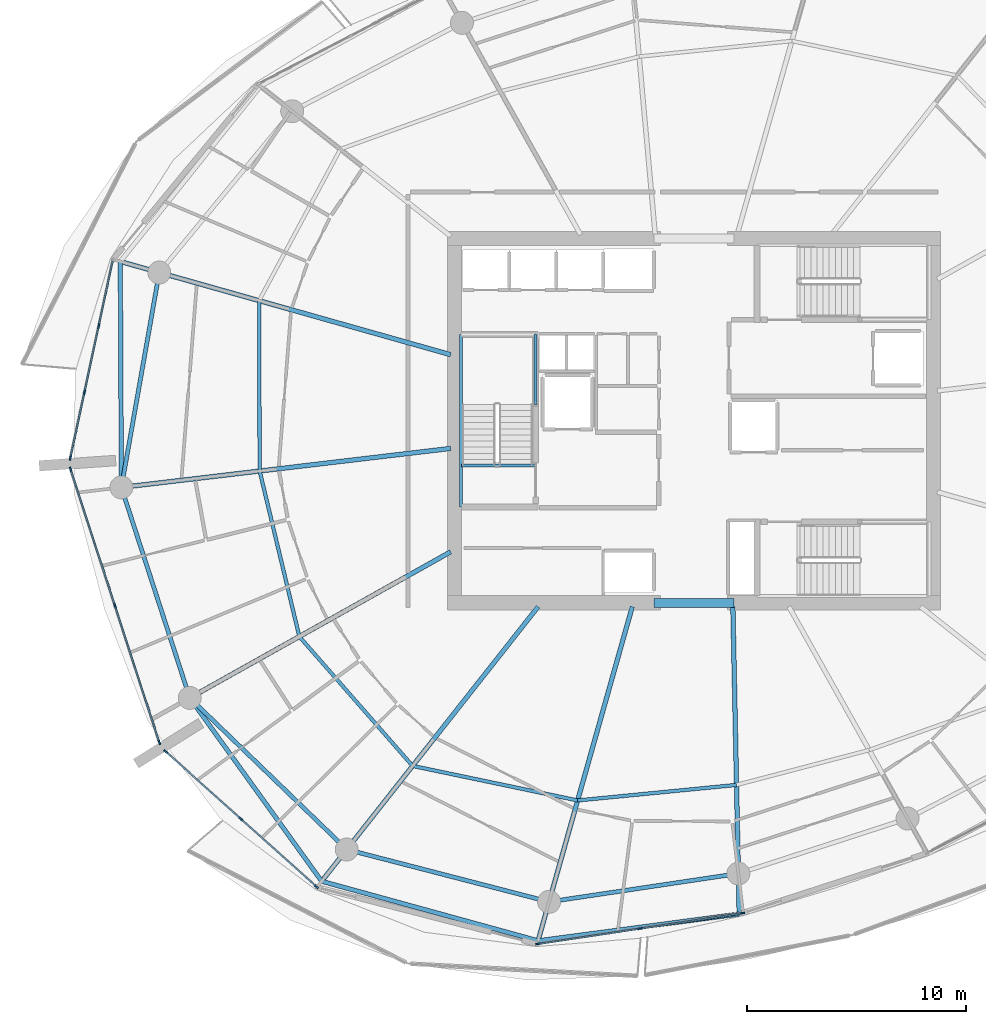
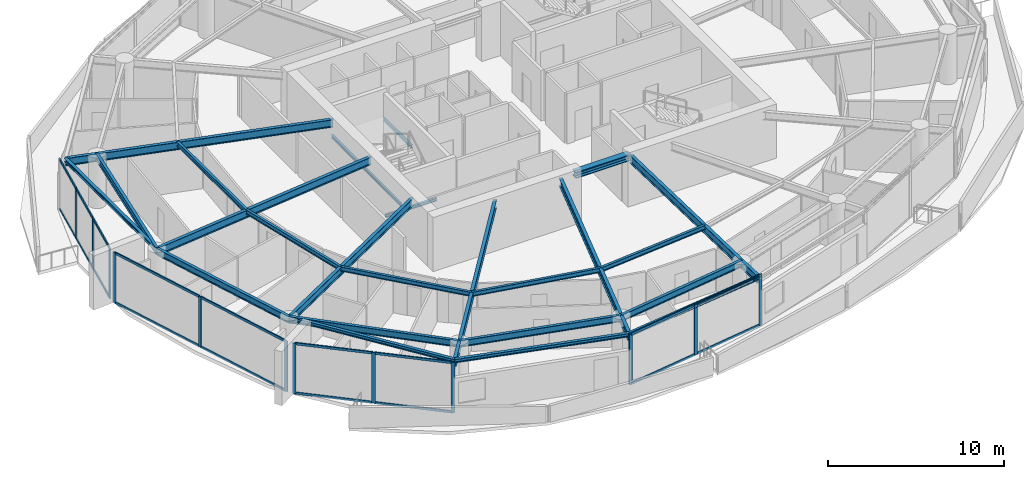
# One storey, part 5 of 21: 30 members, 24 beams, 4 elements without a shape of their own.
"""IFC4 building model written with IfcOpenShell, lengths in metres."""

from ifc_helpers import new_model, si_unit, direction, frame, origin, origin_2d, place, context, subcontext, project, spatial, rectangle, i_section, extrude, material, layer, layer_set, material_profile, profile_set, type_object, element, aggregate, save


model = new_model("IFC4")

# Units and contexts
model_context = context("Model", 3, precision=1e-05, world=origin(), true_north=direction((0.0, 1.0)))
body_context = subcontext(model_context, "Body", "Model", "MODEL_VIEW")
ifc_project = project(units=[si_unit("LENGTHUNIT", "METRE"), si_unit("AREAUNIT", "SQUARE_METRE"), si_unit("VOLUMEUNIT", "CUBIC_METRE"), si_unit("PLANEANGLEUNIT", "RADIAN"), si_unit("MASSUNIT", "GRAM", prefix="KILO")], contexts=[model_context])

# Site, building, storey
site_placement = place(None, origin())
site = spatial("IfcSite", under=ifc_project, at=site_placement, CompositionType="ELEMENT")
building_placement = place(site_placement, origin())
building = spatial("IfcBuilding", under=site, at=building_placement, Name="Kazma Halo Residences", CompositionType="ELEMENT")
storey_placement = place(building_placement, frame((0.0, 0.0, 191.550048828125)))
storey = spatial("IfcBuildingStorey", under=building, at=storey_placement, Name="L48", CompositionType="ELEMENT", Elevation=191.550048828125)

# Beams
ifc_material_1 = material(Name="Steel S355", Category="steel")
ifc_material_profile_1 = material_profile(ifc_material_1, i_section(OverallWidth=0.201904296875, OverallDepth=0.2470703125, WebThickness=0.00732421875, FlangeThickness=0.010986328125, FilletRadius=0.011962890625, at=origin_2d()), Name="W250x49.1")
ifc_profile_set_1 = profile_set([ifc_material_profile_1], Name="Steel S355")
beam_type_1 = type_object("IfcBeamType", Name="BM-BAL-CANT", PredefinedType="BEAM", material=ifc_profile_set_1)
for number, where, z_axis, x_axis, name in (
    (1, (22.19970703125, 49.276611328125, 3.37646484375), (0.004705663334, -0.999988928305, 0.0), (0.999988928305, 0.004705663334, 0.0), "L48 wave-balcony tie beam 07"),
    (2, (25.375, 29.329345703125, 3.37646484375), (0.583963922576, -0.811779611181, 0.0), (0.811779611181, 0.583963922576, 0.0), "L48 wave-balcony lead tie beam 09"),
):
    element("IfcBeam", number, at=place(storey_placement, frame(where, z_axis=z_axis, x_axis=x_axis)), inside=storey, type_object=beam_type_1, Name=name, PredefinedType="BEAM", context=body_context, shape_type="SweptSolid", body=[
        extrude(i_section(OverallWidth=0.201904296875, OverallDepth=0.2470703125, WebThickness=0.00732421875, FlangeThickness=0.010986328125, FilletRadius=0.011962890625, at=origin_2d()), origin(), (0.0, 0.0, 1.0), 10.324462890625),
    ])
beam_1_placement = place(storey_placement, frame((31.404052734375, 20.9482421875, 3.37646484375), z_axis=(0.964197026197, -0.265186905169, 0.0), x_axis=(0.265186905169, 0.964197026197, 0.0)))
element("IfcBeam", 3, at=beam_1_placement, inside=storey, type_object=beam_type_1, Name="L48 wave-balcony tie beam 10", PredefinedType="BEAM", context=body_context, shape_type="SweptSolid", body=[
    extrude(i_section(OverallWidth=0.201904296875, OverallDepth=0.2470703125, WebThickness=0.00732421875, FlangeThickness=0.010986328125, FilletRadius=0.011962890625, at=origin_2d()), origin(), (0.0, 0.0, 1.0), 10.258544921875),
])
beam_2_placement = place(storey_placement, frame((41.29541015625, 18.227783203125, 3.37646484375), z_axis=(0.99126671613, 0.131872277199, 0.0), x_axis=(-0.131872277199, 0.99126671613, 0.0)))
element("IfcBeam", 4, at=beam_2_placement, inside=storey, type_object=beam_type_1, Name="L48 wave-balcony tie beam 11", PredefinedType="BEAM", context=body_context, shape_type="SweptSolid", body=[
    extrude(i_section(OverallWidth=0.201904296875, OverallDepth=0.2470703125, WebThickness=0.00732421875, FlangeThickness=0.010986328125, FilletRadius=0.011962890625, at=origin_2d()), origin(), (0.0, 0.0, 1.0), 9.2734375),
])
ifc_material_profile_2 = material_profile(ifc_material_1, i_section(OverallWidth=0.408935546875, OverallDepth=0.425048828125, WebThickness=0.03271484375, FlangeThickness=0.052490234375, FilletRadius=0.02001953125, at=origin_2d()), Name="W360x421")
ifc_profile_set_2 = profile_set([ifc_material_profile_2], Name="Steel S355")
beam_type_2 = type_object("IfcBeamType", Name="BM-CORE-W360H", PredefinedType="BEAM", material=ifc_profile_set_2)
beam_3_placement = place(storey_placement, frame((46.60009765625, 33.675048828125, 3.287353515625), z_axis=(1.0, 0.0, 0.0), x_axis=(0.0, 1.0, 0.0)))
element("IfcBeam", 5, at=beam_3_placement, inside=storey, type_object=beam_type_2, Name="L48 core coupling beam S", PredefinedType="BEAM", context=body_context, shape_type="SweptSolid", body=[
    extrude(i_section(OverallWidth=0.408935546875, OverallDepth=0.425048828125, WebThickness=0.03271484375, FlangeThickness=0.052490234375, FilletRadius=0.02001953125, at=origin_2d()), origin(), (0.0, 0.0, 1.0), 3.64990234375),
])
ifc_material_profile_3 = material_profile(ifc_material_1, i_section(OverallWidth=0.208984375, OverallDepth=0.532958984375, WebThickness=0.01025390625, FlangeThickness=0.015625, FilletRadius=0.01611328125, at=origin_2d()), Name="W530x92")
ifc_profile_set_3 = profile_set([ifc_material_profile_3], Name="Steel S355")
beam_type_3 = type_object("IfcBeamType", Name="BM-RAD-W530", PredefinedType="BEAM", material=ifc_profile_set_3)
beam_4_placement = place(storey_placement, frame((37.300048828125, 45.017578125, 3.2333984375), z_axis=(-0.962450301448, 0.271457947467, 0.0), x_axis=(-0.271457947467, -0.962450301448, 0.0)))
element("IfcBeam", 6, at=beam_4_placement, inside=storey, type_object=beam_type_3, Name="L48 radial floor beam 07", PredefinedType="BEAM", context=body_context, shape_type="SweptSolid", body=[
    extrude(i_section(OverallWidth=0.208984375, OverallDepth=0.532958984375, WebThickness=0.01025390625, FlangeThickness=0.015625, FilletRadius=0.01611328125, at=origin_2d()), origin(), (0.0, 0.0, 1.0), 15.689453125),
])
beam_5_placement = place(storey_placement, frame((37.300048828125, 40.733642578125, 3.2333984375), z_axis=(-0.993068447674, -0.117537475875, 0.0), x_axis=(0.117537475875, -0.993068447674, 0.0)))
element("IfcBeam", 7, at=beam_5_placement, inside=storey, type_object=beam_type_3, Name="L48 radial floor beam 08", PredefinedType="BEAM", context=body_context, shape_type="SweptSolid", body=[
    extrude(i_section(OverallWidth=0.208984375, OverallDepth=0.532958984375, WebThickness=0.01025390625, FlangeThickness=0.015625, FilletRadius=0.01611328125, at=origin_2d()), origin(), (0.0, 0.0, 1.0), 15.15673828125),
])
beam_6_placement = place(storey_placement, frame((37.300048828125, 36.0078125, 3.2333984375), z_axis=(-0.872492308718, -0.488627845327, 0.0), x_axis=(0.488627845327, -0.872492308718, 0.0)))
element("IfcBeam", 8, at=beam_6_placement, inside=storey, type_object=beam_type_3, Name="L48 radial floor beam 09", PredefinedType="BEAM", context=body_context, shape_type="SweptSolid", body=[
    extrude(i_section(OverallWidth=0.208984375, OverallDepth=0.532958984375, WebThickness=0.01025390625, FlangeThickness=0.015625, FilletRadius=0.01611328125, at=origin_2d()), origin(), (0.0, 0.0, 1.0), 13.667724609375),
])
beam_7_placement = place(storey_placement, frame((41.299072265625, 33.5, 3.2333984375), z_axis=(-0.61909439419, -0.785316580165, 0.0), x_axis=(0.785316580165, -0.61909439419, 0.0)))
element("IfcBeam", 9, at=beam_7_placement, inside=storey, type_object=beam_type_3, Name="L48 radial floor beam 10", PredefinedType="BEAM", context=body_context, shape_type="SweptSolid", body=[
    extrude(i_section(OverallWidth=0.208984375, OverallDepth=0.532958984375, WebThickness=0.01025390625, FlangeThickness=0.015625, FilletRadius=0.01611328125, at=origin_2d()), origin(), (0.0, 0.0, 1.0), 15.983154296875),
])
beam_8_placement = place(storey_placement, frame((45.602783203125, 33.5, 3.2333984375), z_axis=(-0.271449932859, -0.962452561922, 0.0), x_axis=(0.962452561922, -0.271449932859, 0.0)))
element("IfcBeam", 10, at=beam_8_placement, inside=storey, type_object=beam_type_3, Name="L48 radial floor beam 11", PredefinedType="BEAM", context=body_context, shape_type="SweptSolid", body=[
    extrude(i_section(OverallWidth=0.208984375, OverallDepth=0.532958984375, WebThickness=0.01025390625, FlangeThickness=0.015625, FilletRadius=0.01611328125, at=origin_2d()), origin(), (0.0, 0.0, 1.0), 15.867919921875),
])
beam_9_placement = place(storey_placement, frame((50.199951171875, 33.5, 3.2333984375), z_axis=(0.020483658838, -0.99979018785, 0.0), x_axis=(0.99979018785, 0.020483658838, 0.0)))
element("IfcBeam", 11, at=beam_9_placement, inside=storey, type_object=beam_type_3, Name="L48 radial floor beam 12", PredefinedType="BEAM", context=body_context, shape_type="SweptSolid", body=[
    extrude(i_section(OverallWidth=0.208984375, OverallDepth=0.532958984375, WebThickness=0.01025390625, FlangeThickness=0.015625, FilletRadius=0.01611328125, at=origin_2d()), origin(), (0.0, 0.0, 1.0), 14.05224609375),
])
ifc_material_profile_4 = material_profile(ifc_material_1, i_section(OverallWidth=0.1650390625, OverallDepth=0.31005859375, WebThickness=0.005859375, FlangeThickness=0.009765625, FilletRadius=0.011962890625, at=origin_2d()), Name="W310x38.7")
ifc_profile_set_4 = profile_set([ifc_material_profile_4], Name="Steel S355")
beam_type_4 = type_object("IfcBeamType", Name="BM-SEC-W310B", PredefinedType="JOIST", material=ifc_profile_set_4)
beam_10_placement = place(storey_placement, frame((28.5419921875, 47.48779296875, 3.344970703125), z_axis=(0.003605218278, -0.999993501179, 0.0), x_axis=(0.999993501179, 0.003605218278, 0.0)))
element("IfcBeam", 12, at=beam_10_placement, inside=storey, type_object=beam_type_4, Name="L48 circumferential floor joist 07", PredefinedType="JOIST", context=body_context, shape_type="SweptSolid", body=[
    extrude(i_section(OverallWidth=0.1650390625, OverallDepth=0.31005859375, WebThickness=0.005859375, FlangeThickness=0.009765625, FilletRadius=0.011962890625, at=origin_2d()), origin(), (0.0, 0.0, 1.0), 7.78759765625),
])
beam_11_placement = place(storey_placement, frame((28.570068359375, 39.7001953125, 3.344970703125), z_axis=(0.233058429286, -0.972462733753, 0.0), x_axis=(0.972462733753, 0.233058429286, 0.0)))
element("IfcBeam", 13, at=beam_11_placement, inside=storey, type_object=beam_type_4, Name="L48 circumferential floor joist 08", PredefinedType="JOIST", context=body_context, shape_type="SweptSolid", body=[
    extrude(i_section(OverallWidth=0.1650390625, OverallDepth=0.31005859375, WebThickness=0.005859375, FlangeThickness=0.009765625, FilletRadius=0.011962890625, at=origin_2d()), origin(), (0.0, 0.0, 1.0), 7.7802734375),
])
beam_12_placement = place(storey_placement, frame((30.38330078125, 32.13427734375, 3.344970703125), z_axis=(0.658629944618, -0.75246700662, 0.0), x_axis=(0.75246700662, 0.658629944618, 0.0)))
element("IfcBeam", 14, at=beam_12_placement, inside=storey, type_object=beam_type_4, Name="L48 circumferential floor joist 09", PredefinedType="JOIST", context=body_context, shape_type="SweptSolid", body=[
    extrude(i_section(OverallWidth=0.1650390625, OverallDepth=0.31005859375, WebThickness=0.005859375, FlangeThickness=0.009765625, FilletRadius=0.011962890625, at=origin_2d()), origin(), (0.0, 0.0, 1.0), 7.85986328125),
])
beam_13_placement = place(storey_placement, frame((35.56005859375, 26.219970703125, 3.344970703125), z_axis=(0.978821484976, -0.204715657802, 0.0), x_axis=(0.204715657802, 0.978821484976, 0.0)))
element("IfcBeam", 15, at=beam_13_placement, inside=storey, type_object=beam_type_4, Name="L48 circumferential floor joist 10", PredefinedType="JOIST", context=body_context, shape_type="SweptSolid", body=[
    extrude(i_section(OverallWidth=0.1650390625, OverallDepth=0.31005859375, WebThickness=0.005859375, FlangeThickness=0.009765625, FilletRadius=0.011962890625, at=origin_2d()), origin(), (0.0, 0.0, 1.0), 7.707763671875),
])
beam_14_placement = place(storey_placement, frame((43.1044921875, 24.64208984375, 3.344970703125), z_axis=(0.995262165401, 0.097227681872, 0.0), x_axis=(-0.097227681872, 0.995262165401, 0.0)))
element("IfcBeam", 16, at=beam_14_placement, inside=storey, type_object=beam_type_4, Name="L48 circumferential floor joist 11", PredefinedType="JOIST", context=body_context, shape_type="SweptSolid", body=[
    extrude(i_section(OverallWidth=0.1650390625, OverallDepth=0.31005859375, WebThickness=0.005859375, FlangeThickness=0.009765625, FilletRadius=0.011962890625, at=origin_2d()), origin(), (0.0, 0.0, 1.0), 7.297119140625),
])
ifc_material_profile_5 = material_profile(ifc_material_1, i_section(OverallWidth=0.18994140625, OverallDepth=0.45703125, WebThickness=0.009033203125, FlangeThickness=0.014404296875, FilletRadius=0.01611328125, at=origin_2d()), Name="W460x74")
ifc_profile_set_5 = profile_set([ifc_material_profile_5], Name="Steel S355")
beam_type_5 = type_object("IfcBeamType", Name="BM-SPN-W460", PredefinedType="BEAM", material=ifc_profile_set_5)
beam_15_placement = place(storey_placement, frame((23.980224609375, 48.7744140625, 3.271484375), z_axis=(-0.173648484202, -0.984807698962, 0.0), x_axis=(0.984807698962, -0.173648484202, 0.0)))
element("IfcBeam", 17, at=beam_15_placement, inside=storey, type_object=beam_type_5, Name="L48 perimeter ring beam 07", PredefinedType="BEAM", context=body_context, shape_type="SweptSolid", body=[
    extrude(i_section(OverallWidth=0.18994140625, OverallDepth=0.45703125, WebThickness=0.009033203125, FlangeThickness=0.014404296875, FilletRadius=0.01611328125, at=origin_2d()), origin(), (0.0, 0.0, 1.0), 9.973876953125),
])
beam_16_placement = place(storey_placement, frame((22.248291015625, 38.9521484375, 3.271484375), z_axis=(0.309023327426, -0.951054458539, 0.0), x_axis=(0.951054458539, 0.309023327426, 0.0)))
element("IfcBeam", 18, at=beam_16_placement, inside=storey, type_object=beam_type_5, Name="L48 perimeter ring beam 08", PredefinedType="BEAM", context=body_context, shape_type="SweptSolid", body=[
    extrude(i_section(OverallWidth=0.18994140625, OverallDepth=0.45703125, WebThickness=0.009033203125, FlangeThickness=0.014404296875, FilletRadius=0.01611328125, at=origin_2d()), origin(), (0.0, 0.0, 1.0), 10.117919921875),
])
beam_17_placement = place(storey_placement, frame((25.375, 29.329345703125, 3.271484375), z_axis=(0.71933650181, -0.694661786169, 0.0), x_axis=(0.694661786169, 0.71933650181, 0.0)))
element("IfcBeam", 19, at=beam_17_placement, inside=storey, type_object=beam_type_5, Name="L48 perimeter ring beam 09", PredefinedType="BEAM", context=body_context, shape_type="SweptSolid", body=[
    extrude(i_section(OverallWidth=0.18994140625, OverallDepth=0.45703125, WebThickness=0.009033203125, FlangeThickness=0.014404296875, FilletRadius=0.01611328125, at=origin_2d()), origin(), (0.0, 0.0, 1.0), 9.9736328125),
])
beam_18_placement = place(storey_placement, frame((32.54931640625, 22.401123046875, 3.271484375), z_axis=(0.968120950739, -0.25048318255, 0.0), x_axis=(0.25048318255, 0.968120950739, 0.0)))
element("IfcBeam", 20, at=beam_18_placement, inside=storey, type_object=beam_type_5, Name="L48 perimeter ring beam 10", PredefinedType="BEAM", context=body_context, shape_type="SweptSolid", body=[
    extrude(i_section(OverallWidth=0.18994140625, OverallDepth=0.45703125, WebThickness=0.009033203125, FlangeThickness=0.014404296875, FilletRadius=0.01611328125, at=origin_2d()), origin(), (0.0, 0.0, 1.0), 9.552734375),
])
beam_19_placement = place(storey_placement, frame((41.797607421875, 20.00830078125, 3.271484375), z_axis=(0.98903439143, 0.147685383732, 0.0), x_axis=(-0.147685383732, 0.98903439143, 0.0)))
element("IfcBeam", 21, at=beam_19_placement, inside=storey, type_object=beam_type_5, Name="L48 perimeter ring beam 11", PredefinedType="BEAM", context=body_context, shape_type="SweptSolid", body=[
    extrude(i_section(OverallWidth=0.18994140625, OverallDepth=0.45703125, WebThickness=0.009033203125, FlangeThickness=0.014404296875, FilletRadius=0.01611328125, at=origin_2d()), origin(), (0.0, 0.0, 1.0), 8.748291015625),
])
ifc_material_profile_6 = material_profile(ifc_material_1, i_section(OverallWidth=0.133056640625, OverallDepth=0.20703125, WebThickness=0.005859375, FlangeThickness=0.00830078125, FilletRadius=0.010009765625, at=origin_2d()), Name="W200x26.6")
ifc_profile_set_6 = profile_set([ifc_material_profile_6], Name="Steel S355")
beam_type_6 = type_object("IfcBeamType", Name="BM-TRIM-W200", PredefinedType="BEAM", material=ifc_profile_set_6)
beam_20_placement = place(storey_placement, frame((37.800048828125, 39.949951171875, -0.360107421875), z_axis=(1.0, 0.0, 0.0), x_axis=(0.0, 1.0, 0.0)))
element("IfcBeam", 22, at=beam_20_placement, inside=storey, type_object=beam_type_6, Name="L48 ST-01 floor landing support beam", PredefinedType="BEAM", context=body_context, shape_type="SweptSolid", body=[
    extrude(i_section(OverallWidth=0.133056640625, OverallDepth=0.20703125, WebThickness=0.005859375, FlangeThickness=0.00830078125, FilletRadius=0.010009765625, at=origin_2d()), origin(), (0.0, 0.0, 1.0), 3.3798828125),
])
beam_21_placement = place(storey_placement, frame((37.780029296875, 38.06005859375, 1.570068359375), z_axis=(0.0, 1.0, 0.0), x_axis=(-1.0, 0.0, 0.0)))
element("IfcBeam", 23, at=beam_21_placement, inside=storey, type_object=beam_type_6, Name="L48 ST-01 landing west wall ledger", PredefinedType="BEAM", context=body_context, shape_type="SweptSolid", body=[
    extrude(i_section(OverallWidth=0.133056640625, OverallDepth=0.20703125, WebThickness=0.005859375, FlangeThickness=0.00830078125, FilletRadius=0.010009765625, at=origin_2d()), origin(), (0.0, 0.0, 1.0), 7.8798828125),
])
beam_22_placement = place(storey_placement, frame((41.179931640625, 42.75, 1.570068359375), z_axis=(0.0, 1.0, 0.0), x_axis=(-1.0, 0.0, 0.0)))
element("IfcBeam", 24, at=beam_22_placement, inside=storey, type_object=beam_type_6, Name="L48 ST-01 landing east wall ledger", PredefinedType="BEAM", context=body_context, shape_type="SweptSolid", body=[
    extrude(i_section(OverallWidth=0.133056640625, OverallDepth=0.20703125, WebThickness=0.005859375, FlangeThickness=0.00830078125, FilletRadius=0.010009765625, at=origin_2d()), origin(), (0.0, 0.0, 1.0), 3.18994140625),
])

# Curtain wall, members
ifc_material_2 = material(Name="Aluminium AW-6063 T6 and Triple-Silver Low-E Glass", Category="aluminium")
ifc_layer = layer(ifc_material_2, 0.219970703125)
ifc_layer_set = layer_set([ifc_layer], Name="Aluminium AW-6063 T6 and Triple-Silver Low-E Glass")
curtain_wall_type = type_object("IfcCurtainWallType", Name="CW-SYS-4", PredefinedType="NOTDEFINED", material=ifc_layer_set)
curtain_wall_1_placement = place(storey_placement, origin())
curtain_wall_1 = element("IfcCurtainWall", 25, at=curtain_wall_1_placement, inside=storey, type_object=curtain_wall_type, Name="L48 unitised curtain wall B07", PredefinedType="NOTDEFINED")
ifc_material_3 = material(Name="Aluminium AW-6063 T6", Category="aluminium")
ifc_material_profile_7 = material_profile(ifc_material_3, rectangle(XDim=0.074951171875, YDim=0.219970703125, at=origin_2d()), Name="CWM-75x220")
ifc_profile_set_7 = profile_set([ifc_material_profile_7], Name="Aluminium AW-6063 T6")
member_type_1 = type_object("IfcMemberType", Name="CW-SYS-4-MUL", PredefinedType="MULLION", material=ifc_profile_set_7)
member_1_placement = place(storey_placement, frame((21.212890625, 46.3330078125, 0.0), z_axis=(0.0, 0.0, 1.0), x_axis=(0.977768017212, -0.209689543175, 0.0)))
member_1 = element("IfcMember", 26, at=member_1_placement, type_object=member_type_1, Name="CWS-4 mullion 2", PredefinedType="MULLION", context=body_context, shape_type="SweptSolid", body=[
    extrude(rectangle(XDim=0.074951171875, YDim=0.219970703125, at=origin_2d()), origin(), (0.0, 0.0, 1.0), 3.5),
])
member_2_placement = place(storey_placement, frame((20.561279296875, 43.295166015625, 0.0), z_axis=(0.0, 0.0, 1.0), x_axis=(0.977768017212, -0.209689543175, 0.0)))
member_2 = element("IfcMember", 27, at=member_2_placement, type_object=member_type_1, Name="CWS-4 mullion 3", PredefinedType="MULLION", context=body_context, shape_type="SweptSolid", body=[
    extrude(rectangle(XDim=0.074951171875, YDim=0.219970703125, at=origin_2d()), origin(), (0.0, 0.0, 1.0), 3.5),
])
member_3_placement = place(storey_placement, frame((19.917724609375, 40.2939453125, 0.0), z_axis=(0.0, 0.0, 1.0), x_axis=(0.977768017212, -0.209689543175, 0.0)))
member_3 = element("IfcMember", 28, at=member_3_placement, type_object=member_type_1, Name="CWS-4 mullion 4", PredefinedType="MULLION", context=body_context, shape_type="SweptSolid", body=[
    extrude(rectangle(XDim=0.074951171875, YDim=0.219970703125, at=origin_2d()), origin(), (0.0, 0.0, 1.0), 3.5),
])

curtain_wall_2_placement = place(storey_placement, origin())
curtain_wall_2 = element("IfcCurtainWall", 29, at=curtain_wall_2_placement, inside=storey, type_object=curtain_wall_type, Name="L48 unitised curtain wall B08", PredefinedType="NOTDEFINED")
member_4_placement = place(storey_placement, frame((19.9287109375, 39.77880859375, 0.0), z_axis=(0.0, 0.0, 1.0), x_axis=(0.951056893636, 0.309015833038, 0.0)))
member_4 = element("IfcMember", 30, at=member_4_placement, type_object=member_type_1, Name="CWS-4 mullion 1", PredefinedType="MULLION", context=body_context, shape_type="SweptSolid", body=[
    extrude(rectangle(XDim=0.074951171875, YDim=0.219970703125, at=origin_2d()), origin(), (0.0, 0.0, 1.0), 3.5),
])
member_5_placement = place(storey_placement, frame((21.95654296875, 33.5380859375, 0.0), z_axis=(0.0, 0.0, 1.0), x_axis=(0.951056893636, 0.309015833038, 0.0)))
member_5 = element("IfcMember", 31, at=member_5_placement, type_object=member_type_1, Name="CWS-4 mullion 2", PredefinedType="MULLION", context=body_context, shape_type="SweptSolid", body=[
    extrude(rectangle(XDim=0.074951171875, YDim=0.219970703125, at=origin_2d()), origin(), (0.0, 0.0, 1.0), 3.5),
])
member_6_placement = place(storey_placement, frame((23.984375, 27.297119140625, 0.0), z_axis=(0.0, 0.0, 1.0), x_axis=(0.951056893636, 0.309015833038, 0.0)))
member_6 = element("IfcMember", 32, at=member_6_placement, type_object=member_type_1, Name="CWS-4 mullion 3", PredefinedType="MULLION", context=body_context, shape_type="SweptSolid", body=[
    extrude(rectangle(XDim=0.074951171875, YDim=0.219970703125, at=origin_2d()), origin(), (0.0, 0.0, 1.0), 3.5),
])

curtain_wall_3_placement = place(storey_placement, origin())
curtain_wall_3 = element("IfcCurtainWall", 33, at=curtain_wall_3_placement, inside=storey, type_object=curtain_wall_type, Name="L48 unitised curtain wall B09", PredefinedType="NOTDEFINED")
member_7_placement = place(storey_placement, frame((24.2783203125, 26.873779296875, 0.0), z_axis=(0.0, 0.0, 1.0), x_axis=(0.667784328806, 0.744354814723, 0.0)))
member_7 = element("IfcMember", 34, at=member_7_placement, type_object=member_type_1, Name="CWS-4 mullion 1", PredefinedType="MULLION", context=body_context, shape_type="SweptSolid", body=[
    extrude(rectangle(XDim=0.074951171875, YDim=0.219970703125, at=origin_2d()), origin(), (0.0, 0.0, 1.0), 3.5),
])
member_8_placement = place(storey_placement, frame((27.719482421875, 23.786865234375, 0.0), z_axis=(0.0, 0.0, 1.0), x_axis=(0.667784328806, 0.744354814723, 0.0)))
member_8 = element("IfcMember", 35, at=member_8_placement, type_object=member_type_1, Name="CWS-4 mullion 2", PredefinedType="MULLION", context=body_context, shape_type="SweptSolid", body=[
    extrude(rectangle(XDim=0.074951171875, YDim=0.219970703125, at=origin_2d()), origin(), (0.0, 0.0, 1.0), 3.5),
])
member_9_placement = place(storey_placement, frame((31.160400390625, 20.69970703125, 0.0), z_axis=(0.0, 0.0, 1.0), x_axis=(0.667784328806, 0.744354814723, 0.0)))
member_9 = element("IfcMember", 36, at=member_9_placement, type_object=member_type_1, Name="CWS-4 mullion 3", PredefinedType="MULLION", context=body_context, shape_type="SweptSolid", body=[
    extrude(rectangle(XDim=0.074951171875, YDim=0.219970703125, at=origin_2d()), origin(), (0.0, 0.0, 1.0), 3.5),
])

curtain_wall_4_placement = place(storey_placement, origin())
curtain_wall_4 = element("IfcCurtainWall", 37, at=curtain_wall_4_placement, inside=storey, type_object=curtain_wall_type, Name="L48 unitised curtain wall B11", PredefinedType="NOTDEFINED")
member_10_placement = place(storey_placement, frame((41.291259765625, 18.086669921875, 0.0), z_axis=(0.0, 0.0, 1.0), x_axis=(-0.148772639188, 0.988871428361, 0.0)))
member_10 = element("IfcMember", 38, at=member_10_placement, type_object=member_type_1, Name="CWS-4 mullion 1", PredefinedType="MULLION", context=body_context, shape_type="SweptSolid", body=[
    extrude(rectangle(XDim=0.074951171875, YDim=0.219970703125, at=origin_2d()), origin(), (0.0, 0.0, 1.0), 3.5),
])
member_11_placement = place(storey_placement, frame((45.958740234375, 18.788818359375, 0.0), z_axis=(0.0, 0.0, 1.0), x_axis=(-0.148772639188, 0.988871428361, 0.0)))
member_11 = element("IfcMember", 39, at=member_11_placement, type_object=member_type_1, Name="CWS-4 mullion 2", PredefinedType="MULLION", context=body_context, shape_type="SweptSolid", body=[
    extrude(rectangle(XDim=0.074951171875, YDim=0.219970703125, at=origin_2d()), origin(), (0.0, 0.0, 1.0), 3.5),
])
member_12_placement = place(storey_placement, frame((50.626220703125, 19.490966796875, 0.0), z_axis=(0.0, 0.0, 1.0), x_axis=(-0.148772639188, 0.988871428361, 0.0)))
member_12 = element("IfcMember", 40, at=member_12_placement, type_object=member_type_1, Name="CWS-4 mullion 3", PredefinedType="MULLION", context=body_context, shape_type="SweptSolid", body=[
    extrude(rectangle(XDim=0.074951171875, YDim=0.219970703125, at=origin_2d()), origin(), (0.0, 0.0, 1.0), 3.5),
])

# Member
ifc_material_profile_8 = material_profile(ifc_material_3, rectangle(XDim=0.074951171875, YDim=0.1650390625, at=origin_2d()), Name="CWT-75x165")
ifc_profile_set_8 = profile_set([ifc_material_profile_8], Name="Aluminium AW-6063 T6")
member_type_2 = type_object("IfcMemberType", Name="CW-SYS-4-TRN", PredefinedType="USERDEFINED", material=ifc_profile_set_8)
member_13_placement = place(storey_placement, frame((21.8486328125, 49.297607421875, 0.037353515625), z_axis=(-0.209707268418, -0.977764215735, 0.0), x_axis=(0.977764215735, -0.209707268418, 0.0)))
member_13 = element("IfcMember", 41, at=member_13_placement, type_object=member_type_2, Name="CWS-4 transom 1.1", ObjectType="TRANSOM", PredefinedType="USERDEFINED", context=body_context, shape_type="SweptSolid", body=[
    extrude(rectangle(XDim=0.074951171875, YDim=0.1650390625, at=origin_2d()), origin(), (0.0, 0.0, 1.0), 2.994384765625),
])

member_14_placement = place(storey_placement, frame((21.8486328125, 49.297607421875, 3.46240234375), z_axis=(-0.209707268418, -0.977764215735, 0.0), x_axis=(0.977764215735, -0.209707268418, 0.0)))
member_14 = element("IfcMember", 42, at=member_14_placement, type_object=member_type_2, Name="CWS-4 transom 1.2", ObjectType="TRANSOM", PredefinedType="USERDEFINED", context=body_context, shape_type="SweptSolid", body=[
    extrude(rectangle(XDim=0.074951171875, YDim=0.1650390625, at=origin_2d()), origin(), (0.0, 0.0, 1.0), 2.994384765625),
])

member_15_placement = place(storey_placement, frame((21.205078125, 46.29638671875, 0.037353515625), z_axis=(-0.209677559804, -0.977770587057, 0.0), x_axis=(0.977770587057, -0.209677559804, 0.0)))
member_15 = element("IfcMember", 43, at=member_15_placement, type_object=member_type_2, Name="CWS-4 transom 2.1", ObjectType="TRANSOM", PredefinedType="USERDEFINED", context=body_context, shape_type="SweptSolid", body=[
    extrude(rectangle(XDim=0.074951171875, YDim=0.1650390625, at=origin_2d()), origin(), (0.0, 0.0, 1.0), 3.031982421875),
])

member_16_placement = place(storey_placement, frame((21.205078125, 46.29638671875, 3.46240234375), z_axis=(-0.209677559804, -0.977770587057, 0.0), x_axis=(0.977770587057, -0.209677559804, 0.0)))
member_16 = element("IfcMember", 44, at=member_16_placement, type_object=member_type_2, Name="CWS-4 transom 2.2", ObjectType="TRANSOM", PredefinedType="USERDEFINED", context=body_context, shape_type="SweptSolid", body=[
    extrude(rectangle(XDim=0.074951171875, YDim=0.1650390625, at=origin_2d()), origin(), (0.0, 0.0, 1.0), 3.031982421875),
])

member_17_placement = place(storey_placement, frame((20.553466796875, 43.258544921875, 0.037353515625), z_axis=(-0.209690551496, -0.97776780097, 0.0), x_axis=(0.97776780097, -0.209690551496, 0.0)))
member_17 = element("IfcMember", 45, at=member_17_placement, type_object=member_type_2, Name="CWS-4 transom 3.1", ObjectType="TRANSOM", PredefinedType="USERDEFINED", context=body_context, shape_type="SweptSolid", body=[
    extrude(rectangle(XDim=0.074951171875, YDim=0.1650390625, at=origin_2d()), origin(), (0.0, 0.0, 1.0), 2.99462890625),
])

member_18_placement = place(storey_placement, frame((20.553466796875, 43.258544921875, 3.46240234375), z_axis=(-0.209690551496, -0.97776780097, 0.0), x_axis=(0.97776780097, -0.209690551496, 0.0)))
member_18 = element("IfcMember", 46, at=member_18_placement, type_object=member_type_2, Name="CWS-4 transom 3.2", ObjectType="TRANSOM", PredefinedType="USERDEFINED", context=body_context, shape_type="SweptSolid", body=[
    extrude(rectangle(XDim=0.074951171875, YDim=0.1650390625, at=origin_2d()), origin(), (0.0, 0.0, 1.0), 2.99462890625),
])

aggregate(curtain_wall_1, [member_1, member_2, member_3, member_13, member_14, member_15, member_16, member_17, member_18])

member_19_placement = place(storey_placement, frame((19.9404296875, 39.7431640625, 0.037353515625), z_axis=(0.30902650142, -0.951053427217, 0.0), x_axis=(0.951053427217, 0.30902650142, 0.0)))
member_19 = element("IfcMember", 47, at=member_19_placement, type_object=member_type_2, Name="CWS-4 transom 1.1", ObjectType="TRANSOM", PredefinedType="USERDEFINED", context=body_context, shape_type="SweptSolid", body=[
    extrude(rectangle(XDim=0.074951171875, YDim=0.1650390625, at=origin_2d()), origin(), (0.0, 0.0, 1.0), 6.487060546875),
])

member_20_placement = place(storey_placement, frame((19.9404296875, 39.7431640625, 3.46240234375), z_axis=(0.30902650142, -0.951053427217, 0.0), x_axis=(0.951053427217, 0.30902650142, 0.0)))
member_20 = element("IfcMember", 48, at=member_20_placement, type_object=member_type_2, Name="CWS-4 transom 1.2", ObjectType="TRANSOM", PredefinedType="USERDEFINED", context=body_context, shape_type="SweptSolid", body=[
    extrude(rectangle(XDim=0.074951171875, YDim=0.1650390625, at=origin_2d()), origin(), (0.0, 0.0, 1.0), 6.487060546875),
])

member_21_placement = place(storey_placement, frame((21.968017578125, 33.50244140625, 0.037353515625), z_axis=(0.309015440644, -0.951057021132, 0.0), x_axis=(0.951057021132, 0.309015440644, 0.0)))
member_21 = element("IfcMember", 49, at=member_21_placement, type_object=member_type_2, Name="CWS-4 transom 2.1", ObjectType="TRANSOM", PredefinedType="USERDEFINED", context=body_context, shape_type="SweptSolid", body=[
    extrude(rectangle(XDim=0.074951171875, YDim=0.1650390625, at=origin_2d()), origin(), (0.0, 0.0, 1.0), 6.487060546875),
])

member_22_placement = place(storey_placement, frame((21.968017578125, 33.50244140625, 3.46240234375), z_axis=(0.309015440644, -0.951057021132, 0.0), x_axis=(0.951057021132, 0.309015440644, 0.0)))
member_22 = element("IfcMember", 50, at=member_22_placement, type_object=member_type_2, Name="CWS-4 transom 2.2", ObjectType="TRANSOM", PredefinedType="USERDEFINED", context=body_context, shape_type="SweptSolid", body=[
    extrude(rectangle(XDim=0.074951171875, YDim=0.1650390625, at=origin_2d()), origin(), (0.0, 0.0, 1.0), 6.487060546875),
])

aggregate(curtain_wall_2, [member_4, member_5, member_6, member_19, member_20, member_21, member_22])

member_23_placement = place(storey_placement, frame((24.30615234375, 26.848876953125, 0.037353515625), z_axis=(0.744344906673, -0.667795372783, 0.0), x_axis=(0.667795372783, 0.744344906673, 0.0)))
member_23 = element("IfcMember", 51, at=member_23_placement, type_object=member_type_2, Name="CWS-4 transom 1.1", ObjectType="TRANSOM", PredefinedType="USERDEFINED", context=body_context, shape_type="SweptSolid", body=[
    extrude(rectangle(XDim=0.074951171875, YDim=0.1650390625, at=origin_2d()), origin(), (0.0, 0.0, 1.0), 4.5478515625),
])

member_24_placement = place(storey_placement, frame((24.30615234375, 26.848876953125, 3.46240234375), z_axis=(0.744344906673, -0.667795372783, 0.0), x_axis=(0.667795372783, 0.744344906673, 0.0)))
member_24 = element("IfcMember", 52, at=member_24_placement, type_object=member_type_2, Name="CWS-4 transom 1.2", ObjectType="TRANSOM", PredefinedType="USERDEFINED", context=body_context, shape_type="SweptSolid", body=[
    extrude(rectangle(XDim=0.074951171875, YDim=0.1650390625, at=origin_2d()), origin(), (0.0, 0.0, 1.0), 4.5478515625),
])

member_25_placement = place(storey_placement, frame((27.747314453125, 23.76171875, 0.037353515625), z_axis=(0.744344906673, -0.667795372783, 0.0), x_axis=(0.667795372783, 0.744344906673, 0.0)))
member_25 = element("IfcMember", 53, at=member_25_placement, type_object=member_type_2, Name="CWS-4 transom 2.1", ObjectType="TRANSOM", PredefinedType="USERDEFINED", context=body_context, shape_type="SweptSolid", body=[
    extrude(rectangle(XDim=0.074951171875, YDim=0.1650390625, at=origin_2d()), origin(), (0.0, 0.0, 1.0), 4.5478515625),
])

member_26_placement = place(storey_placement, frame((27.747314453125, 23.76171875, 3.46240234375), z_axis=(0.744344906673, -0.667795372783, 0.0), x_axis=(0.667795372783, 0.744344906673, 0.0)))
member_26 = element("IfcMember", 54, at=member_26_placement, type_object=member_type_2, Name="CWS-4 transom 2.2", ObjectType="TRANSOM", PredefinedType="USERDEFINED", context=body_context, shape_type="SweptSolid", body=[
    extrude(rectangle(XDim=0.074951171875, YDim=0.1650390625, at=origin_2d()), origin(), (0.0, 0.0, 1.0), 4.5478515625),
])

aggregate(curtain_wall_3, [member_7, member_8, member_9, member_23, member_24, member_25, member_26])

member_27_placement = place(storey_placement, frame((41.328369140625, 18.092041015625, 0.037353515625), z_axis=(0.988867623216, 0.148797929272, 0.0), x_axis=(-0.148797929272, 0.988867623216, 0.0)))
member_27 = element("IfcMember", 55, at=member_27_placement, type_object=member_type_2, Name="CWS-4 transom 1.1", ObjectType="TRANSOM", PredefinedType="USERDEFINED", context=body_context, shape_type="SweptSolid", body=[
    extrude(rectangle(XDim=0.074951171875, YDim=0.1650390625, at=origin_2d()), origin(), (0.0, 0.0, 1.0), 4.64501953125),
])

member_28_placement = place(storey_placement, frame((41.328369140625, 18.092041015625, 3.46240234375), z_axis=(0.988867623216, 0.148797929272, 0.0), x_axis=(-0.148797929272, 0.988867623216, 0.0)))
member_28 = element("IfcMember", 56, at=member_28_placement, type_object=member_type_2, Name="CWS-4 transom 1.2", ObjectType="TRANSOM", PredefinedType="USERDEFINED", context=body_context, shape_type="SweptSolid", body=[
    extrude(rectangle(XDim=0.074951171875, YDim=0.1650390625, at=origin_2d()), origin(), (0.0, 0.0, 1.0), 4.64501953125),
])

member_29_placement = place(storey_placement, frame((45.995849609375, 18.79443359375, 0.037353515625), z_axis=(0.988876518566, 0.148738801357, 0.0), x_axis=(-0.148738801357, 0.988876518566, 0.0)))
member_29 = element("IfcMember", 57, at=member_29_placement, type_object=member_type_2, Name="CWS-4 transom 2.1", ObjectType="TRANSOM", PredefinedType="USERDEFINED", context=body_context, shape_type="SweptSolid", body=[
    extrude(rectangle(XDim=0.074951171875, YDim=0.1650390625, at=origin_2d()), origin(), (0.0, 0.0, 1.0), 4.645263671875),
])

member_30_placement = place(storey_placement, frame((45.995849609375, 18.79443359375, 3.46240234375), z_axis=(0.988876518566, 0.148738801357, 0.0), x_axis=(-0.148738801357, 0.988876518566, 0.0)))
member_30 = element("IfcMember", 58, at=member_30_placement, type_object=member_type_2, Name="CWS-4 transom 2.2", ObjectType="TRANSOM", PredefinedType="USERDEFINED", context=body_context, shape_type="SweptSolid", body=[
    extrude(rectangle(XDim=0.074951171875, YDim=0.1650390625, at=origin_2d()), origin(), (0.0, 0.0, 1.0), 4.645263671875),
])

aggregate(curtain_wall_4, [member_10, member_11, member_12, member_27, member_28, member_29, member_30])

save(model, "model.ifc")
